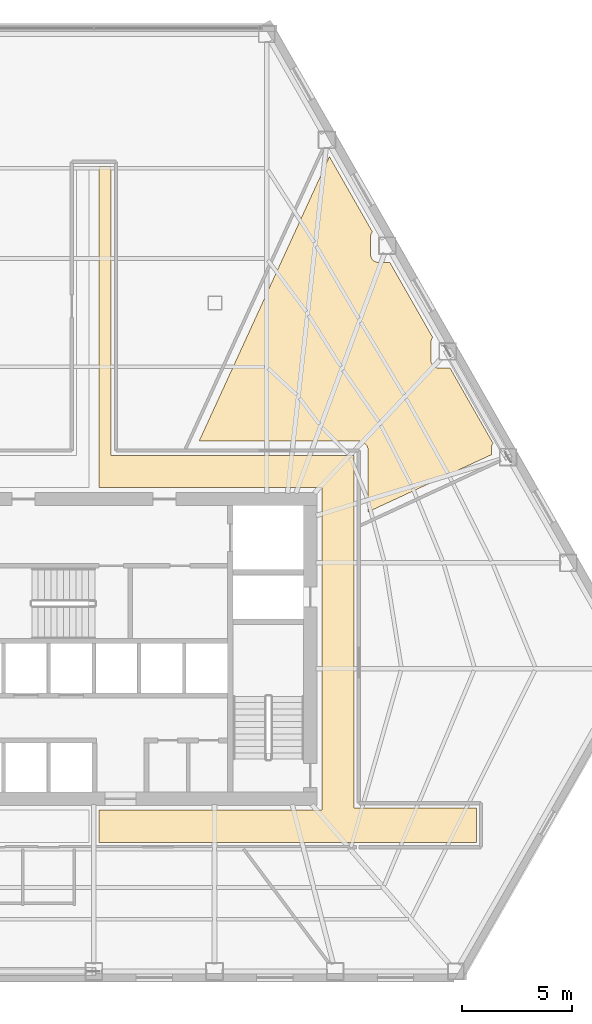
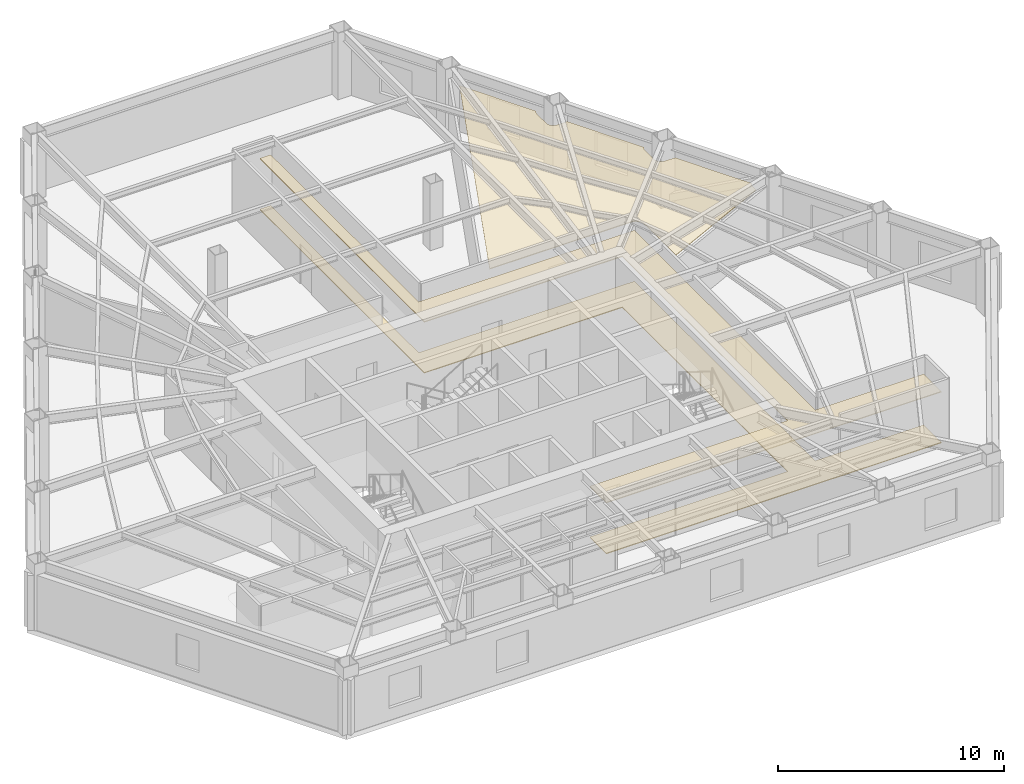
# One storey, part 12 of 12: 3 coverings.
"""IFC4 building model written with IfcOpenShell, lengths in metres."""

from ifc_helpers import new_model, si_unit, direction, frame, origin, place, context, subcontext, project, spatial, polyline, outline, extrude, material, layer, layer_set, type_object, element, save


model = new_model("IFC4")

# Units and contexts
model_context = context("Model", 3, precision=1e-05, world=origin(), true_north=direction((0.0, 1.0)))
body_context = subcontext(model_context, "Body", "Model", "MODEL_VIEW")
ifc_project = project(units=[si_unit("LENGTHUNIT", "METRE"), si_unit("AREAUNIT", "SQUARE_METRE"), si_unit("VOLUMEUNIT", "CUBIC_METRE"), si_unit("PLANEANGLEUNIT", "RADIAN"), si_unit("MASSUNIT", "GRAM", prefix="KILO")], contexts=[model_context])

# Site, building, storey
site_placement = place(None, origin())
site = spatial("IfcSite", under=ifc_project, at=site_placement, CompositionType="ELEMENT")
building_placement = place(site_placement, origin())
building = spatial("IfcBuilding", under=site, at=building_placement, Name="Kavelnor Concourse Tower", CompositionType="ELEMENT")
storey_placement = place(building_placement, frame((0.0, 0.0, 21.39990234375)))
storey = spatial("IfcBuildingStorey", under=building, at=storey_placement, Name="L05", CompositionType="ELEMENT", Elevation=21.39990234375)

# Coverings
ifc_material_1 = material(Name="Mineral fibre acoustic ceiling tile")
ifc_layer_1 = layer(ifc_material_1, 0.0400390625, Name="Mineral fibre acoustic ceiling tile")
ifc_layer_set_1 = layer_set([ifc_layer_1], Name="Mineral fibre acoustic ceiling tile")
covering_type_1 = type_object("IfcCoveringType", Name="COV-CEILING-ACOUSTIC", PredefinedType="CEILING", material=ifc_layer_set_1)
covering_1_placement = place(storey_placement, frame((0.0, 0.0, 2.75)))
element("IfcCovering", 1, at=covering_1_placement, inside=storey, type_object=covering_type_1, Name="L05 Suspended Acoustic Ceiling", PredefinedType="CEILING", context=body_context, shape_type="SweptSolid", body=[
    extrude(outline(polyline([(38.780029296875, 37.97998046875), (38.780029296875, 24.8798828125), (49.800048828125, 24.8798828125), (49.800048828125, 8.8798828125), (55.349609375, 8.8798828125), (55.349609375, 7.320068359375), (38.22509765625, 7.320068359375), (38.22509765625, 8.780029296875), (48.340087890625, 8.780029296875), (48.340087890625, 23.419921875), (38.22509765625, 23.419921875), (38.22509765625, 37.97998046875), (38.780029296875, 37.97998046875)])), origin(), (0.0, 0.0, 1.0), 0.0400390625),
])
covering_2_placement = place(storey_placement, frame((0.0, 0.0, 2.75)))
element("IfcCovering", 2, at=covering_2_placement, inside=storey, type_object=covering_type_1, Name="L05 Suspended Acoustic Ceiling", PredefinedType="CEILING", context=body_context, shape_type="SweptSolid", body=[
    extrude(outline(polyline([(50.44091796875, 25.1416015625), (50.434814453125, 25.1826171875), (50.4248046875, 25.222900390625), (50.41064453125, 25.26171875), (50.39306640625, 25.29931640625), (50.37158203125, 25.3349609375), (50.346923828125, 25.368408203125), (50.319091796875, 25.39892578125), (50.288330078125, 25.427001953125), (50.2548828125, 25.45166015625), (50.219482421875, 25.472900390625), (50.181884765625, 25.49072265625), (50.142822265625, 25.504638671875), (50.1025390625, 25.514892578125), (50.0615234375, 25.52099609375), (50.0283203125, 25.5224609375), (42.77294921875, 25.5224609375), (48.685791015625, 38.430419921875), (48.689208984375, 38.430419921875), (50.635498046875, 35.020263671875), (50.615966796875, 34.993896484375), (50.59765625, 34.963623046875), (50.58251953125, 34.931640625), (50.57080078125, 34.898193359375), (50.56201171875, 34.864013671875), (50.556884765625, 34.8291015625), (50.5556640625, 34.802001953125), (50.5556640625, 33.9853515625), (50.556884765625, 33.95849609375), (50.56201171875, 33.92333984375), (50.57080078125, 33.88916015625), (50.58251953125, 33.855712890625), (50.59765625, 33.82373046875), (50.615966796875, 33.79345703125), (50.636962890625, 33.76513671875), (50.660888671875, 33.739013671875), (50.68701171875, 33.715087890625), (50.71533203125, 33.694091796875), (50.74560546875, 33.67578125), (50.777587890625, 33.66064453125), (50.81103515625, 33.648681640625), (50.84521484375, 33.64013671875), (50.88037109375, 33.635009765625), (50.9072265625, 33.6337890625), (51.427001953125, 33.6337890625), (53.37353515625, 30.223388671875), (53.35400390625, 30.197021484375), (53.335693359375, 30.166748046875), (53.320556640625, 30.134765625), (53.30859375, 30.101318359375), (53.300048828125, 30.067138671875), (53.294921875, 30.031982421875), (53.293701171875, 30.005126953125), (53.293701171875, 29.1884765625), (53.294921875, 29.16162109375), (53.300048828125, 29.12646484375), (53.30859375, 29.09228515625), (53.320556640625, 29.058837890625), (53.335693359375, 29.02685546875), (53.35400390625, 28.99658203125), (53.375, 28.96826171875), (53.398681640625, 28.94189453125), (53.425048828125, 28.918212890625), (53.453369140625, 28.897216796875), (53.483642578125, 28.87890625), (53.515625, 28.86376953125), (53.549072265625, 28.851806640625), (53.583251953125, 28.84326171875), (53.618408203125, 28.838134765625), (53.645263671875, 28.8369140625), (54.164794921875, 28.8369140625), (56.111328125, 25.426513671875), (56.091796875, 25.400146484375), (56.073486328125, 25.369873046875), (56.05859375, 25.337890625), (56.046630859375, 25.304443359375), (56.0380859375, 25.270263671875), (56.03271484375, 25.235107421875), (56.031494140625, 25.208251953125), (56.031494140625, 24.905517578125), (50.4423828125, 22.31787109375), (50.4423828125, 25.1083984375), (50.44091796875, 25.1416015625)])), origin(), (0.0, 0.0, 1.0), 0.0400390625),
])
ifc_material_2 = material(Name="Honed bluestone and raised access floor finish", Category="masonry")
ifc_layer_2 = layer(ifc_material_2, 0.0400390625, Name="Honed bluestone and raised access floor finish")
ifc_layer_set_2 = layer_set([ifc_layer_2], Name="Honed bluestone and raised access floor finish")
covering_type_2 = type_object("IfcCoveringType", Name="COV-FLOOR-STONE", PredefinedType="FLOORING", material=ifc_layer_set_2)
covering_3_placement = place(storey_placement, frame((0.0, 0.0, 0.002197265625)))
element("IfcCovering", 3, at=covering_3_placement, inside=storey, type_object=covering_type_2, Name="L05 Honed Bluestone Floor Finish", PredefinedType="FLOORING", context=body_context, shape_type="SweptSolid", body=[
    extrude(outline(polyline([(38.780029296875, 37.97998046875), (38.780029296875, 24.8798828125), (49.800048828125, 24.8798828125), (49.800048828125, 8.8798828125), (55.349609375, 8.8798828125), (55.349609375, 7.320068359375), (38.22509765625, 7.320068359375), (38.22509765625, 8.780029296875), (48.340087890625, 8.780029296875), (48.340087890625, 23.419921875), (38.22509765625, 23.419921875), (38.22509765625, 37.97998046875), (38.780029296875, 37.97998046875)])), origin(), (0.0, 0.0, 1.0), 0.039794921875),
])

save(model, "model.ifc")
